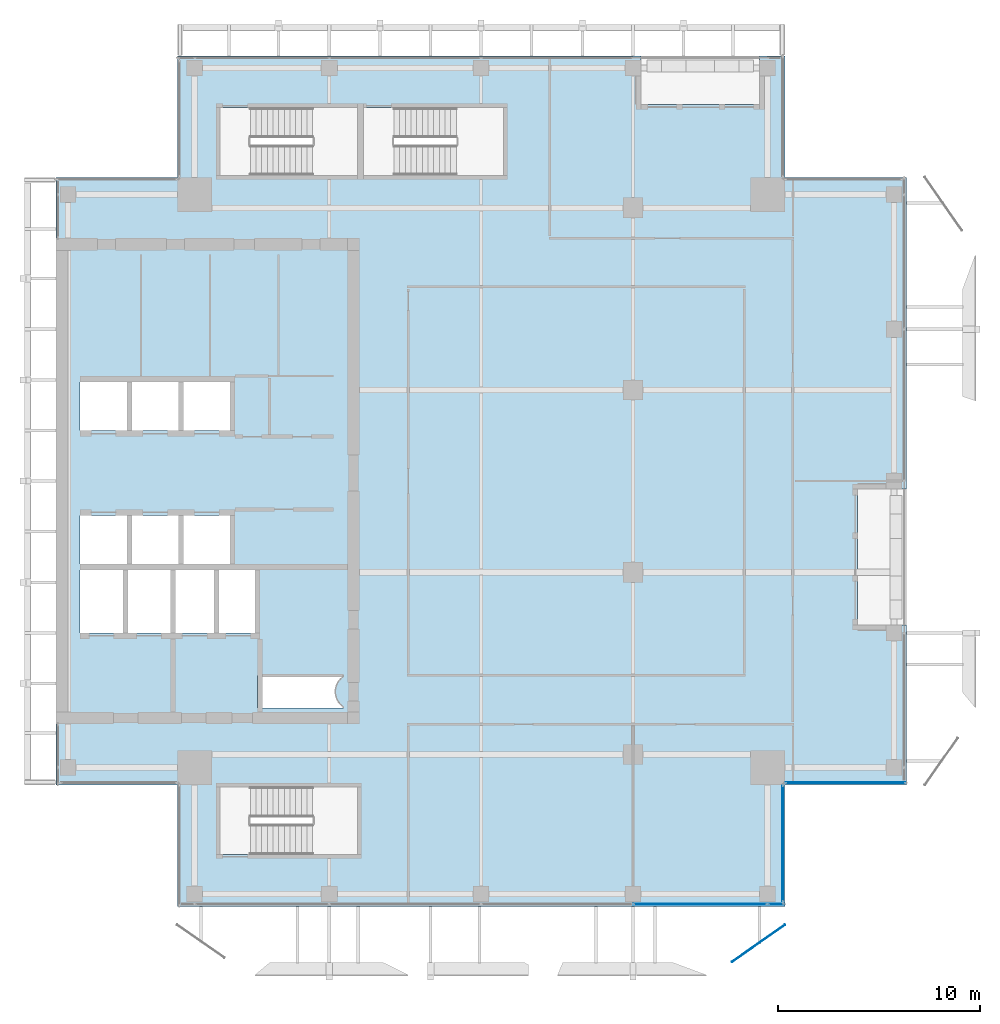
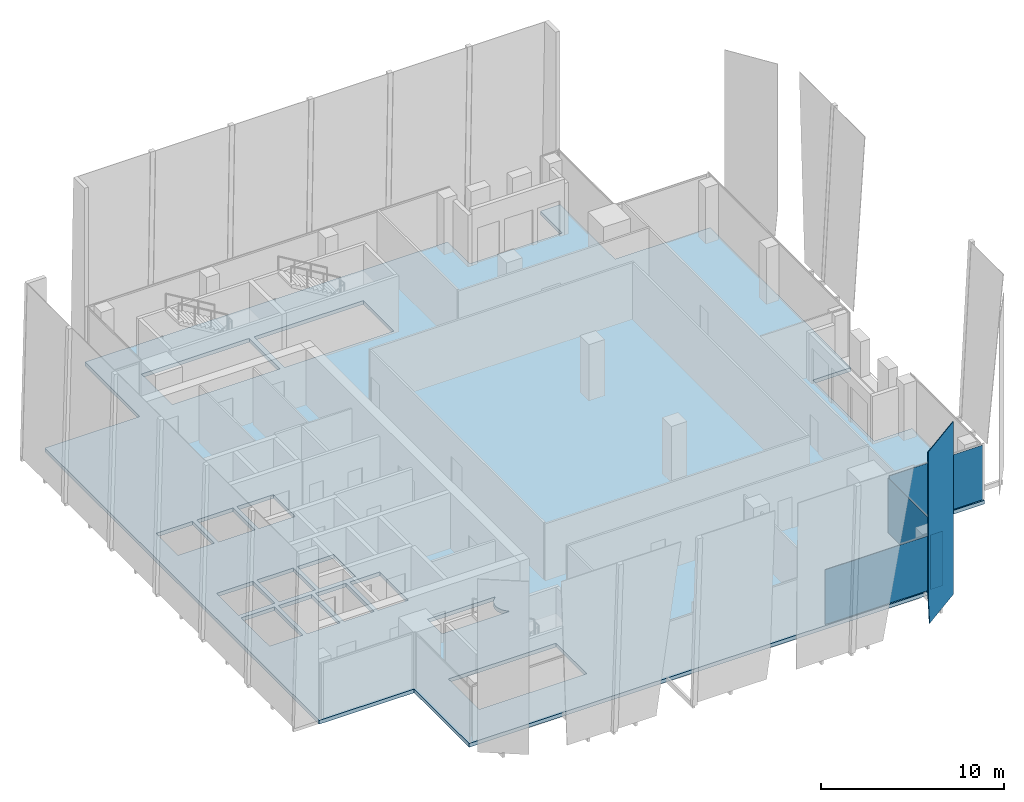
# One storey, part 22 of 32: 5 plates, 1 slab, 3 elements without a shape of their own.
"""IFC4 building model written with IfcOpenShell, lengths in metres."""

from ifc_helpers import new_model, si_unit, direction, frame, origin, origin_2d, place, context, subcontext, project, spatial, polyline, rectangle, outline, extrude, source, transform, mapped, material, layer, layer_set, type_object, element, aggregate, save


model = new_model("IFC4")

# Units and contexts
model_context = context("Model", 3, precision=1e-05, world=origin(), true_north=direction((0.0, 1.0)))
body_context = subcontext(model_context, "Body", "Model", "MODEL_VIEW")
ifc_project = project(units=[si_unit("LENGTHUNIT", "METRE"), si_unit("AREAUNIT", "SQUARE_METRE"), si_unit("VOLUMEUNIT", "CUBIC_METRE"), si_unit("PLANEANGLEUNIT", "RADIAN"), si_unit("MASSUNIT", "GRAM", prefix="KILO")], contexts=[model_context])

# Site, building, storey
site_placement = place(None, origin())
site = spatial("IfcSite", under=ifc_project, at=site_placement, CompositionType="ELEMENT")
building_placement = place(site_placement, origin())
building = spatial("IfcBuilding", under=site, at=building_placement, Name="Khomas Fold Tower", CompositionType="ELEMENT")
storey_placement = place(building_placement, frame((0.0, 0.0, 318.199951171875)))
storey = spatial("IfcBuildingStorey", under=building, at=storey_placement, Name="L72", CompositionType="ELEMENT", Elevation=318.199951171875)

# Plate
ifc_material_1 = material(Name="Clear laminated glass", Category="glass")
ifc_layer_1 = layer(ifc_material_1, 0.0400390625)
ifc_layer_set_1 = layer_set([ifc_layer_1], Name="Clear laminated glass")
plate_type_1 = type_object("IfcPlateType", Name="SK-Clear laminated glass leaf", PredefinedType="SHEET", material=ifc_layer_set_1)
plate_1_placement = place(storey_placement, frame((39.50048828125, 3.353515625, 0.0), z_axis=(-0.572825764057, 0.819677158387, 7.084268e-06), x_axis=(-0.074622881345, -0.05215829602, 0.995846844518)))
element("IfcPlate", 1, at=plate_1_placement, inside=storey, type_object=plate_type_1, Name="OUTER SKIN glass L72 SG104-10", PredefinedType="SHEET", context=body_context, shape_type="SweptSolid", body=[
    extrude(outline(polyline([(0.0, 0.0), (1.7482274583999375, 0.0), (11.51657084683648, 0.8930608806519482), (11.224460170496812, 4.088181677986858), (-0.277619509017957, 3.0366157164466365), (0.0, 0.0)])), origin(), (0.0, 0.0, -1.0), 0.0400390625),
])

# Slab
ifc_material_2 = material(Name="Concrete C40/50", Category="concrete")
ifc_layer_2 = layer(ifc_material_2, 0.25)
ifc_layer_set_2 = layer_set([ifc_layer_2], Name="Concrete C40/50")
slab_type = type_object("IfcSlabType", Name="RC floor slab 250", PredefinedType="FLOOR", material=ifc_layer_set_2)
shared_shape_1 = source(origin(), body_context, "Body", "SweptSolid", [
    extrude(outline(polyline([(6.0, 12.0), (12.0, 12.0), (12.0, 6.0), (42.0, 6.0), (42.0, 12.0), (48.0, 12.0), (48.0, 19.89990234375), (45.60009765625, 19.89990234375), (45.60009765625, 26.60009765625), (48.0, 26.60009765625), (48.0, 42.0), (42.0, 42.0), (42.0, 48.0), (40.75, 48.0), (40.75, 45.60009765625), (34.89990234375, 45.60009765625), (34.89990234375, 48.0), (12.0, 48.0), (12.0, 42.0), (6.0, 42.0), (6.0, 12.0)]), holes=[polyline([(7.199951171875, 19.5), (7.199951171875, 22.60009765625), (9.300048828125, 22.60009765625), (9.300048828125, 19.5), (7.199951171875, 19.5)]), polyline([(7.199951171875, 22.89990234375), (7.199951171875, 25.300048828125), (9.5, 25.300048828125), (9.5, 22.89990234375), (7.199951171875, 22.89990234375)]), polyline([(7.199951171875, 29.5), (7.199951171875, 31.89990234375), (9.5, 31.89990234375), (9.5, 29.5), (7.199951171875, 29.5)]), polyline([(9.550048828125, 19.5), (9.550048828125, 22.60009765625), (11.64990234375, 22.60009765625), (11.64990234375, 19.5), (9.550048828125, 19.5)]), polyline([(9.75, 22.89990234375), (9.75, 25.300048828125), (12.050048828125, 25.300048828125), (12.050048828125, 22.89990234375), (9.75, 22.89990234375)]), polyline([(9.75, 29.5), (9.75, 31.89990234375), (12.050048828125, 31.89990234375), (12.050048828125, 29.5), (9.75, 29.5)]), polyline([(11.89990234375, 19.5), (11.89990234375, 22.60009765625), (13.800048828125, 22.60009765625), (13.800048828125, 19.5), (11.89990234375, 19.5)]), polyline([(12.300048828125, 22.89990234375), (12.300048828125, 25.300048828125), (14.60009765625, 25.300048828125), (14.60009765625, 22.89990234375), (12.300048828125, 22.89990234375)]), polyline([(12.300048828125, 29.5), (12.300048828125, 31.89990234375), (14.60009765625, 31.89990234375), (14.60009765625, 29.5), (12.300048828125, 29.5)]), polyline([(14.050048828125, 19.5), (14.050048828125, 22.60009765625), (15.949951171875, 22.60009765625), (15.949951171875, 19.5), (14.050048828125, 19.5)]), polyline([(14.10009765625, 8.550048828125), (14.10009765625, 11.89990234375), (20.89990234375, 11.89990234375), (20.89990234375, 8.550048828125), (14.10009765625, 8.550048828125)]), polyline([(14.10009765625, 42.10009765625), (14.10009765625, 45.449951171875), (20.89990234375, 45.449951171875), (20.89990234375, 42.10009765625), (14.10009765625, 42.10009765625)]), polyline([(15.949951171875, 15.800048828125), (15.949951171875, 17.39990234375), (20.199951171875, 17.39990234375), (20.199951171875, 17.348388671875), (20.199951171875, 17.348388671875), (20.12890625, 17.295654296875), (20.063720703125, 17.236328125), (20.00439453125, 17.1708984375), (19.95166015625, 17.10009765625), (19.90625, 17.0244140625), (19.868408203125, 16.9443359375), (19.8388671875, 16.861328125), (19.8173828125, 16.775634765625), (19.80419921875, 16.688232421875), (19.800048828125, 16.60009765625), (19.80419921875, 16.51171875), (19.8173828125, 16.42431640625), (19.8388671875, 16.338623046875), (19.868408203125, 16.255615234375), (19.90625, 16.17578125), (19.95166015625, 16.10009765625), (20.00439453125, 16.029052734375), (20.063720703125, 15.963623046875), (20.12890625, 15.904296875), (20.199951171875, 15.851806640625), (20.199951171875, 15.851806640625), (20.199951171875, 15.800048828125), (15.949951171875, 15.800048828125)]), polyline([(21.199951171875, 42.10009765625), (21.199951171875, 45.449951171875), (28.10009765625, 45.449951171875), (28.10009765625, 42.10009765625), (21.199951171875, 42.10009765625)])]), origin(), (0.0, 0.0, 1.0), 0.25),
])
slab_placement = place(storey_placement, frame((0.0, 0.0, -0.25)))
element("IfcSlab", 2, at=slab_placement, inside=storey, type_object=slab_type, Name="S-L72", PredefinedType="FLOOR", context=body_context, shape_type="MappedRepresentation", body=[
    mapped(shared_shape_1, transform((0.0, 0.0, 0.0))),
])

# Curtain wall, plates
ifc_material_3 = material(Name="Aluminium framed double glazing", Category="aluminium")
curtain_wall_type = type_object("IfcCurtainWallType", Name="SK-Unitised clear-glass wall, upper floors CW3", PredefinedType="NOTDEFINED", material=ifc_material_3)
curtain_wall_1_placement = place(storey_placement, origin())
curtain_wall_1 = element("IfcCurtainWall", 3, at=curtain_wall_1_placement, inside=storey, type_object=curtain_wall_type, Name="CW3 run L72 00-0", PredefinedType="NOTDEFINED")
ifc_material_4 = material(Name="Clear double glazed unit")
ifc_layer_3 = layer(ifc_material_4, 0.028076171875)
ifc_layer_set_3 = layer_set([ifc_layer_3], Name="Clear double glazed unit")
plate_type_2 = type_object("IfcPlateType", Name="SK-Unitised clear-glass wall, upper floors glass panel CW3-P", PredefinedType="CURTAIN_PANEL", material=ifc_layer_set_3)
shared_shape_2 = source(origin(), body_context, "Body", "SweptSolid", [
    extrude(rectangle(XDim=6.60009765625, YDim=0.028076171875, at=origin_2d()), origin(), (0.0, 0.0, 1.0), 3.64990234375),
])
plate_2_placement = place(storey_placement, frame((37.824951171875, 6.10009765625, 0.0), z_axis=(0.0, 0.0, 1.0), x_axis=(1.0, 0.0, 0.0)))
plate_2 = element("IfcPlate", 4, at=plate_2_placement, type_object=plate_type_2, Name="CW3 glass panel 5", PredefinedType="CURTAIN_PANEL", context=body_context, shape_type="MappedRepresentation", body=[
    mapped(shared_shape_2, transform((0.0, 0.0, 0.0))),
])
shared_shape_3 = source(origin(), body_context, "Body", "SweptSolid", [
    extrude(rectangle(XDim=0.77490234375, YDim=0.028076171875, at=origin_2d()), origin(), (0.0, 0.0, 1.0), 3.64990234375),
])
plate_3_placement = place(storey_placement, frame((41.5625, 6.10009765625, 0.0), z_axis=(0.0, 0.0, 1.0), x_axis=(1.0, 0.0, 0.0)))
plate_3 = element("IfcPlate", 5, at=plate_3_placement, type_object=plate_type_2, Name="CW3 glass panel 6", PredefinedType="CURTAIN_PANEL", context=body_context, shape_type="MappedRepresentation", body=[
    mapped(shared_shape_3, transform((0.0, 0.0, 0.0))),
])
aggregate(curtain_wall_1, [plate_2, plate_3])

# Curtain wall, plate
curtain_wall_2_placement = place(storey_placement, origin())
curtain_wall_2 = element("IfcCurtainWall", 6, at=curtain_wall_2_placement, inside=storey, type_object=curtain_wall_type, Name="CW3 corner return L72 01", PredefinedType="NOTDEFINED")
shared_shape_4 = source(origin(), body_context, "Body", "SweptSolid", [
    extrude(rectangle(XDim=5.699951171875, YDim=0.028076171875, at=origin_2d()), origin(), (0.0, 0.0, 1.0), 3.64990234375),
])
plate_4_placement = place(storey_placement, frame((41.89990234375, 9.10009765625, 0.0), z_axis=(0.0, 0.0, 1.0), x_axis=(0.0, 1.0, 0.0)))
plate_4 = element("IfcPlate", 7, at=plate_4_placement, type_object=plate_type_2, Name="CW3 glass panel 1", PredefinedType="CURTAIN_PANEL", context=body_context, shape_type="MappedRepresentation", body=[
    mapped(shared_shape_4, transform((0.0, 0.0, 0.0))),
])
aggregate(curtain_wall_2, [plate_4])

curtain_wall_3_placement = place(storey_placement, origin())
curtain_wall_3 = element("IfcCurtainWall", 8, at=curtain_wall_3_placement, inside=storey, type_object=curtain_wall_type, Name="CW3 corner return L72 02", PredefinedType="NOTDEFINED")
shared_shape_5 = source(origin(), body_context, "Body", "SweptSolid", [
    extrude(rectangle(XDim=5.89990234375, YDim=0.028076171875, at=origin_2d()), origin(), (0.0, 0.0, 1.0), 3.64990234375),
])
plate_5_placement = place(storey_placement, frame((45.0, 12.10009765625, 0.0), z_axis=(0.0, 0.0, 1.0), x_axis=(1.0, 0.0, 0.0)))
plate_5 = element("IfcPlate", 9, at=plate_5_placement, type_object=plate_type_2, Name="CW3 glass panel 1", PredefinedType="CURTAIN_PANEL", context=body_context, shape_type="MappedRepresentation", body=[
    mapped(shared_shape_5, transform((0.0, 0.0, 0.0))),
])
aggregate(curtain_wall_3, [plate_5])

save(model, "model.ifc")
